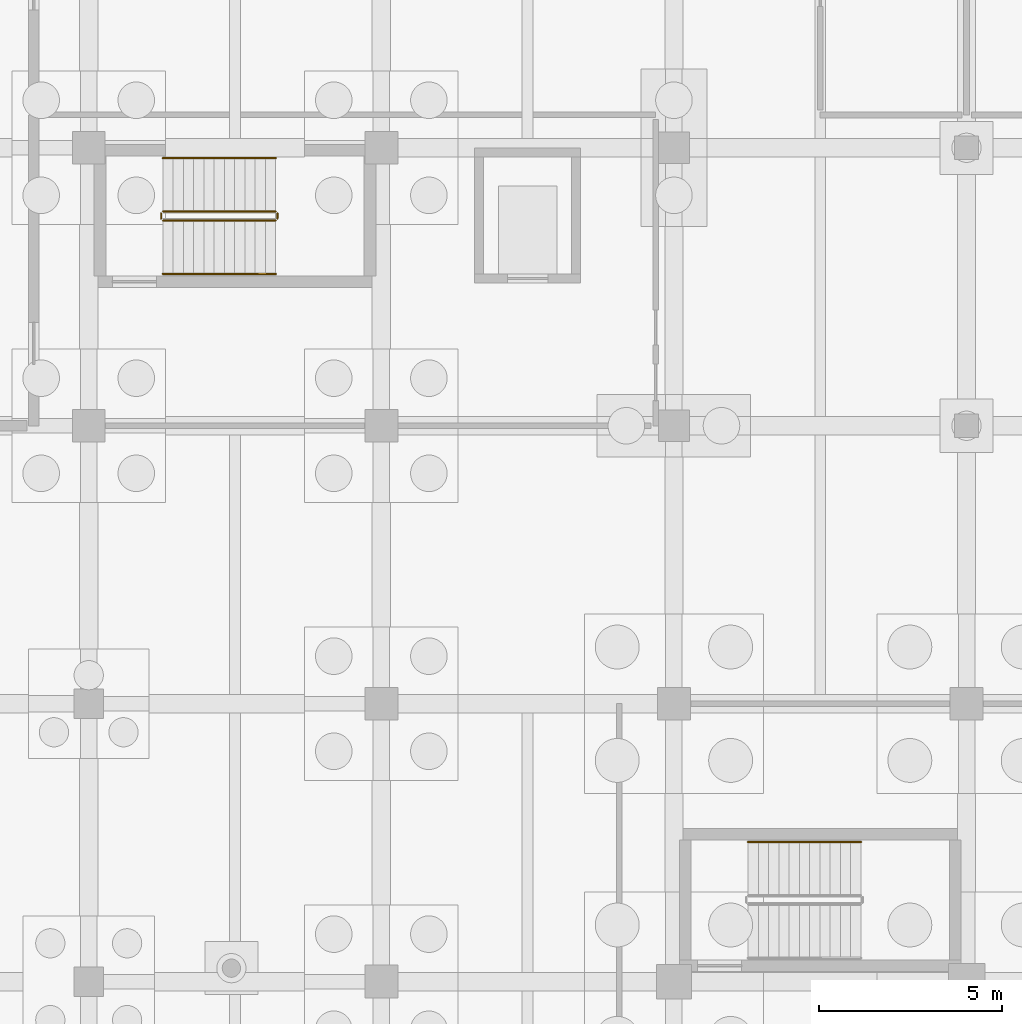
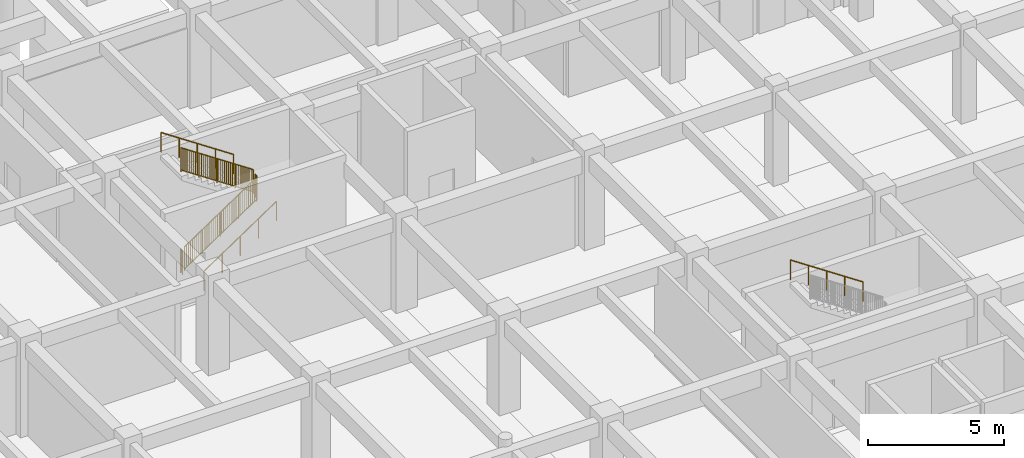
# One storey, part 47 of 49: 7 railings.
"""IFC4 building model written with IfcOpenShell, lengths in metres."""

import ifcopenshell
import ifcopenshell.guid

model = None  # the IFC model being written
_history = None  # IfcOwnerHistory: only IFC2X3 demands one
_inside = {}  # id of a spatial element -> (the spatial element, [elements in it])
_under = {}  # id of a project, library or spatial element -> (it, [spatial elements below it])
_declared = {}  # id of a project -> (the project, [libraries it declares])
_typed = {}  # id of a type object -> (the type object, [elements of that type])
_made_of = {}  # id of a material, layer set ... -> (it, [elements and type objects made of it])


def new_model(schema):
    """Start an empty IFC model of exactly this schema.

    Asked for "IFC4X3", IfcOpenShell would pick the latest addendum, in which some entities
    have other attributes; the version numbers below select the first issue.
    IFC2X3 requires an IfcOwnerHistory on every rooted entity: one is made here for all.
    """
    global model, _history
    if schema == "IFC4X3":
        model = ifcopenshell.file(schema_version=(4, 3, 0, 0))
    else:
        model = ifcopenshell.file(schema=schema)
    _inside.clear()
    _under.clear()
    _declared.clear()
    _typed.clear()
    _made_of.clear()
    _history = None
    if model.schema == "IFC2X3":
        org = make("IfcOrganization", Name="unknown")
        user = make(
            "IfcPersonAndOrganization",
            ThePerson=make("IfcPerson", FamilyName="unknown"),
            TheOrganization=org,
        )
        app = make(
            "IfcApplication",
            ApplicationDeveloper=org,
            Version="unknown",
            ApplicationFullName="unknown",
            ApplicationIdentifier="unknown",
        )
        _history = make(
            "IfcOwnerHistory",
            OwningUser=user,
            OwningApplication=app,
            ChangeAction="ADDED",
            CreationDate=0,
        )
    return model


def make(cls, **values):
    """One entity of the class cls with the attributes given. An attribute that is None is left unset."""
    return model.create_entity(
        cls, **{name: value for name, value in values.items() if value is not None}
    )


def rooted(cls, **values):
    """An entity with a GlobalId (a new one), such as an element, a storey or a relation."""
    return make(cls, GlobalId=ifcopenshell.guid.new(), OwnerHistory=_history, **values)


def si_unit(unit_type, name, prefix=None):
    """IfcSIUnit, for example si_unit("LENGTHUNIT", "METRE", prefix="MILLI")."""
    return make("IfcSIUnit", UnitType=unit_type, Prefix=prefix, Name=name)


def assignment(units):
    """IfcUnitAssignment: the units of a project."""
    return None if units is None else make("IfcUnitAssignment", Units=units)


def point(xyz):
    """IfcCartesianPoint."""
    return None if xyz is None else make("IfcCartesianPoint", Coordinates=xyz)


def direction(xyz):
    """IfcDirection."""
    return None if xyz is None else make("IfcDirection", DirectionRatios=xyz)


def frame(location, z_axis=None, x_axis=None):
    """IfcAxis2Placement3D, a coordinate frame: its origin and axes. An axis left out is left unset."""
    return make(
        "IfcAxis2Placement3D",
        Location=point(location),
        Axis=direction(z_axis),
        RefDirection=direction(x_axis),
    )


def frame_2d(location, x_axis=None):
    """IfcAxis2Placement2D, a coordinate frame in the plane: its origin and x axis."""
    return make(
        "IfcAxis2Placement2D", Location=point(location), RefDirection=direction(x_axis)
    )


def origin():
    """The frame at (0, 0, 0) with its axes left unset."""
    return frame((0.0, 0.0, 0.0))


def origin_2d():
    """The frame at (0, 0) in the plane with its x axis left unset."""
    return frame_2d((0.0, 0.0))


def place(relative_to, where):
    """IfcLocalPlacement: puts the frame where relative to a parent placement (None: the world)."""
    return make(
        "IfcLocalPlacement", PlacementRelTo=relative_to, RelativePlacement=where
    )


def context(
    kind, dimensions, precision=None, world=None, true_north=None, identifier=None
):
    """IfcGeometricRepresentationContext, for example the 3D "Model" context."""
    return make(
        "IfcGeometricRepresentationContext",
        ContextIdentifier=identifier,
        ContextType=kind,
        CoordinateSpaceDimension=dimensions,
        Precision=precision,
        WorldCoordinateSystem=world,
        TrueNorth=true_north,
    )


def subcontext(parent, identifier, kind, view, scale=None):
    """IfcGeometricRepresentationSubContext, for example "Body" below "Model"."""
    return make(
        "IfcGeometricRepresentationSubContext",
        ContextIdentifier=identifier,
        ContextType=kind,
        ParentContext=parent,
        TargetScale=scale,
        TargetView=view,
    )


def project(units=None, contexts=None):
    """IfcProject with its units and contexts."""
    return rooted(
        "IfcProject",
        Name="project",
        RepresentationContexts=contexts,
        UnitsInContext=assignment(units),
    )


def spatial(cls, under=None, at=None, **own):
    """A site, building, storey or space (cls), placed at a placement, below another one or the project."""
    s = rooted(cls, ObjectPlacement=at, **own)
    if under is not None:
        _under.setdefault(under.id(), (under, []))[1].append(s)
    return s


def profile(cls, at=None, kind="AREA", **sizes):
    """A parametric profile (cls). Its sizes go by their IFC names, for example OverallWidth=200.0."""
    return make(cls, ProfileType=kind, Position=at, **sizes)


def rectangle(**sizes):
    """IfcRectangleProfileDef."""
    return profile("IfcRectangleProfileDef", **sizes)


def circle(**sizes):
    """IfcCircleProfileDef."""
    return profile("IfcCircleProfileDef", **sizes)


def extrude(swept, where, along, depth):
    """IfcExtrudedAreaSolid: the profile swept, set in the frame where, extruded along a direction by depth."""
    return make(
        "IfcExtrudedAreaSolid",
        SweptArea=swept,
        Position=where,
        ExtrudedDirection=direction(along),
        Depth=depth,
    )


def shape(context_of_items, identifier, shape_type, items):
    """IfcShapeRepresentation: the items that make up one representation, for example the "Body"."""
    return make(
        "IfcShapeRepresentation",
        ContextOfItems=context_of_items,
        RepresentationIdentifier=identifier,
        RepresentationType=shape_type,
        Items=items,
    )


def material(Name=None, Category=None):
    """IfcMaterial."""
    return make("IfcMaterial", Name=Name, Category=Category)


def made_of(thing, what):
    """Note that an element or type object is made of a material, layer set ...; save() writes the relation."""
    if what is not None:
        _made_of.setdefault(what.id(), (what, []))[1].append(thing)
    return thing


def type_object(cls, material=None, **own):
    """A type object (cls), such as IfcWallType, which elements share."""
    return made_of(rooted(cls, **own), material)


def element(
    cls,
    number,
    at=None,
    inside=None,
    cuts=None,
    type_object=None,
    material=None,
    context=None,
    identifier="Body",
    shape_type=None,
    held_by="IfcProductDefinitionShape",
    body=None,
    shapes=None,
    **own,
):
    """One element of the class cls, such as IfcWall. Its Tag is "e" and its number.

    at: its placement. inside: the storey or other place that contains it. cuts: it is an
    opening in that element (IfcRelVoidsElement). A single representation is given by context,
    identifier, shape_type and body (its items); several are given by shapes. held_by: the class
    of the entity that holds the representations. save() writes the other relations.
    """
    e = rooted(cls, Tag="e%d" % number, ObjectPlacement=at, **own)
    if body is not None:
        shapes = [shape(context, identifier, shape_type, body)]
    if shapes is not None:
        e.Representation = make(held_by, Representations=shapes)
    if inside is not None:
        _inside.setdefault(inside.id(), (inside, []))[1].append(e)
    if cuts is not None:
        rooted(
            "IfcRelVoidsElement", RelatingBuildingElement=cuts, RelatedOpeningElement=e
        )
    if type_object is not None:
        _typed.setdefault(type_object.id(), (type_object, []))[1].append(e)
    return made_of(e, material)


def aggregate(whole, parts):
    """IfcRelAggregates: a whole, such as a stair, and the parts it consists of."""
    return rooted("IfcRelAggregates", RelatingObject=whole, RelatedObjects=parts)


def save(model, path):
    """Write the relations noted so far, then the file.

    IfcRelAggregates (storeys below a building ...), IfcRelContainedInSpatialStructure (elements
    in a storey), IfcRelDefinesByType, IfcRelAssociatesMaterial and IfcRelDeclares: one each for
    every whole, place, type object, material and project.
    """
    for whole, parts in _under.values():
        aggregate(whole, parts)
    for where, things in _inside.values():
        rooted(
            "IfcRelContainedInSpatialStructure",
            RelatedElements=things,
            RelatingStructure=where,
        )
    for kind, things in _typed.values():
        rooted("IfcRelDefinesByType", RelatedObjects=things, RelatingType=kind)
    for what, things in _made_of.values():
        rooted("IfcRelAssociatesMaterial", RelatedObjects=things, RelatingMaterial=what)
    for by, libraries in _declared.values():
        rooted("IfcRelDeclares", RelatingContext=by, RelatedDefinitions=libraries)
    model.write(path)


model = new_model("IFC4")

# Units and contexts
model_context = context("Model", 3, precision=1e-05, world=origin(), true_north=direction((0.0, 1.0)))
body_context = subcontext(model_context, "Body", "Model", "MODEL_VIEW")
ifc_project = project(units=[si_unit("LENGTHUNIT", "METRE"), si_unit("AREAUNIT", "SQUARE_METRE"), si_unit("VOLUMEUNIT", "CUBIC_METRE"), si_unit("PLANEANGLEUNIT", "RADIAN"), si_unit("MASSUNIT", "GRAM", prefix="KILO")], contexts=[model_context])

# Site, building, storey
site_placement = place(None, origin())
site = spatial("IfcSite", under=ifc_project, at=site_placement, CompositionType="ELEMENT")
building_placement = place(site_placement, origin())
building = spatial("IfcBuilding", under=site, at=building_placement, Name="Zantavel Square City Hall", CompositionType="ELEMENT")
storey_placement = place(building_placement, frame((0.0, 0.0, -4.5)))
storey = spatial("IfcBuildingStorey", under=building, at=storey_placement, Name="B1", CompositionType="ELEMENT", Elevation=-4.5)

# Railings
ifc_material_1 = material(Name="Steel ASTM A500 Grade B", Category="steel")
railing_type_1 = type_object("IfcRailingType", Name="Atrium & Gallery Steel Guard Railing 1100mm", PredefinedType="GUARDRAIL", material=ifc_material_1)
railing_1_placement = place(storey_placement, frame((50.030029296875, 81.610107421875, 0.1875)))
element("IfcRailing", 1, at=railing_1_placement, inside=storey, type_object=railing_type_1, Name="B1 ST1 stair guard 1", PredefinedType="GUARDRAIL", context=body_context, shape_type="SweptSolid", body=[
    extrude(circle(Radius=0.02392578125, at=origin_2d()), frame((0.0, 0.0, 1.076171875), z_axis=(0.830913701846, 0.0, 0.55640131208), x_axis=(0.0, 1.0, 0.0)), (0.0, 0.0, 1.0), 3.706787109375),
    extrude(rectangle(XDim=0.031982421875, YDim=0.031982421875, at=origin_2d()), frame((0.0, 0.0, 0.080078125), z_axis=(0.830913701846, 0.0, 0.55640131208), x_axis=(0.0, 1.0, 0.0)), (0.0, 0.0, 1.0), 3.706787109375),
    extrude(rectangle(XDim=0.02197265625, YDim=0.02197265625, at=origin_2d()), frame((0.087890625, 0.0, 0.138916015625)), (0.0, 0.0, 1.0), 0.971923828125),
    extrude(rectangle(XDim=0.02197265625, YDim=0.02197265625, at=origin_2d()), frame((0.176025390625, 0.0, 0.19775390625)), (0.0, 0.0, 1.0), 0.971923828125),
    extrude(rectangle(XDim=0.02197265625, YDim=0.02197265625, at=origin_2d()), frame((0.263916015625, 0.0, 0.2568359375)), (0.0, 0.0, 1.0), 0.971923828125),
    extrude(rectangle(XDim=0.02197265625, YDim=0.02197265625, at=origin_2d()), frame((0.35205078125, 0.0, 0.315673828125)), (0.0, 0.0, 1.0), 0.971923828125),
    extrude(rectangle(XDim=0.02197265625, YDim=0.02197265625, at=origin_2d()), frame((0.43994140625, 0.0, 0.374755859375)), (0.0, 0.0, 1.0), 0.971923828125),
    extrude(rectangle(XDim=0.02197265625, YDim=0.02197265625, at=origin_2d()), frame((0.528076171875, 0.0, 0.43359375)), (0.0, 0.0, 1.0), 0.971923828125),
    extrude(rectangle(XDim=0.02197265625, YDim=0.02197265625, at=origin_2d()), frame((0.615966796875, 0.0, 0.492431640625)), (0.0, 0.0, 1.0), 0.971923828125),
    extrude(rectangle(XDim=0.02197265625, YDim=0.02197265625, at=origin_2d()), frame((0.7041015625, 0.0, 0.551513671875)), (0.0, 0.0, 1.0), 0.971923828125),
    extrude(rectangle(XDim=0.02197265625, YDim=0.02197265625, at=origin_2d()), frame((0.880126953125, 0.0, 0.669189453125)), (0.0, 0.0, 1.0), 0.971923828125),
    extrude(rectangle(XDim=0.02197265625, YDim=0.02197265625, at=origin_2d()), frame((0.968017578125, 0.0, 0.728271484375)), (0.0, 0.0, 1.0), 0.971923828125),
    extrude(rectangle(XDim=0.02197265625, YDim=0.02197265625, at=origin_2d()), frame((1.055908203125, 0.0, 0.787109375)), (0.0, 0.0, 1.0), 0.971923828125),
    extrude(rectangle(XDim=0.02197265625, YDim=0.02197265625, at=origin_2d()), frame((1.14404296875, 0.0, 0.84619140625)), (0.0, 0.0, 1.0), 0.971923828125),
    extrude(rectangle(XDim=0.02197265625, YDim=0.02197265625, at=origin_2d()), frame((1.23193359375, 0.0, 0.905029296875)), (0.0, 0.0, 1.0), 0.971923828125),
    extrude(rectangle(XDim=0.02197265625, YDim=0.02197265625, at=origin_2d()), frame((1.320068359375, 0.0, 0.9638671875)), (0.0, 0.0, 1.0), 0.971923828125),
    extrude(rectangle(XDim=0.02197265625, YDim=0.02197265625, at=origin_2d()), frame((1.407958984375, 0.0, 1.02294921875)), (0.0, 0.0, 1.0), 0.971923828125),
    extrude(rectangle(XDim=0.02197265625, YDim=0.02197265625, at=origin_2d()), frame((1.49609375, 0.0, 1.081787109375)), (0.0, 0.0, 1.0), 0.971923828125),
    extrude(rectangle(XDim=0.02197265625, YDim=0.02197265625, at=origin_2d()), frame((1.583984375, 0.0, 1.140625)), (0.0, 0.0, 1.0), 0.971923828125),
    extrude(rectangle(XDim=0.02197265625, YDim=0.02197265625, at=origin_2d()), frame((1.672119140625, 0.0, 1.19970703125)), (0.0, 0.0, 1.0), 0.971923828125),
    extrude(rectangle(XDim=0.02197265625, YDim=0.02197265625, at=origin_2d()), frame((1.760009765625, 0.0, 1.258544921875)), (0.0, 0.0, 1.0), 0.971923828125),
    extrude(rectangle(XDim=0.02197265625, YDim=0.02197265625, at=origin_2d()), frame((1.84814453125, 0.0, 1.3173828125)), (0.0, 0.0, 1.0), 0.971923828125),
    extrude(rectangle(XDim=0.02197265625, YDim=0.02197265625, at=origin_2d()), frame((1.93603515625, 0.0, 1.37646484375)), (0.0, 0.0, 1.0), 0.971923828125),
    extrude(rectangle(XDim=0.02197265625, YDim=0.02197265625, at=origin_2d()), frame((2.024169921875, 0.0, 1.435302734375)), (0.0, 0.0, 1.0), 0.971923828125),
    extrude(rectangle(XDim=0.02197265625, YDim=0.02197265625, at=origin_2d()), frame((2.112060546875, 0.0, 1.494384765625)), (0.0, 0.0, 1.0), 0.971923828125),
    extrude(rectangle(XDim=0.02197265625, YDim=0.02197265625, at=origin_2d()), frame((2.199951171875, 0.0, 1.55322265625)), (0.0, 0.0, 1.0), 0.971923828125),
    extrude(rectangle(XDim=0.02197265625, YDim=0.02197265625, at=origin_2d()), frame((2.3759765625, 0.0, 1.671142578125)), (0.0, 0.0, 1.0), 0.971923828125),
    extrude(rectangle(XDim=0.02197265625, YDim=0.02197265625, at=origin_2d()), frame((2.464111328125, 0.0, 1.72998046875)), (0.0, 0.0, 1.0), 0.971923828125),
    extrude(rectangle(XDim=0.02197265625, YDim=0.02197265625, at=origin_2d()), frame((2.552001953125, 0.0, 1.788818359375)), (0.0, 0.0, 1.0), 0.971923828125),
    extrude(rectangle(XDim=0.02197265625, YDim=0.02197265625, at=origin_2d()), frame((2.64013671875, 0.0, 1.847900390625)), (0.0, 0.0, 1.0), 0.971923828125),
    extrude(rectangle(XDim=0.02197265625, YDim=0.02197265625, at=origin_2d()), frame((2.72802734375, 0.0, 1.90673828125)), (0.0, 0.0, 1.0), 0.971923828125),
    extrude(rectangle(XDim=0.02197265625, YDim=0.02197265625, at=origin_2d()), frame((2.816162109375, 0.0, 1.9658203125)), (0.0, 0.0, 1.0), 0.971923828125),
    extrude(rectangle(XDim=0.02197265625, YDim=0.02197265625, at=origin_2d()), frame((2.904052734375, 0.0, 2.024658203125)), (0.0, 0.0, 1.0), 0.971923828125),
    extrude(rectangle(XDim=0.02197265625, YDim=0.02197265625, at=origin_2d()), frame((2.9921875, 0.0, 2.08349609375)), (0.0, 0.0, 1.0), 0.971923828125),
    extrude(circle(Radius=0.02099609375, at=origin_2d()), origin(), (0.0, 0.0, 1.0), 1.052001953125),
    extrude(circle(Radius=0.02099609375, at=origin_2d()), frame((0.77001953125, 0.0, 0.515625)), (0.0, 0.0, 1.0), 1.052001953125),
    extrude(circle(Radius=0.02099609375, at=origin_2d()), frame((1.5400390625, 0.0, 1.03125)), (0.0, 0.0, 1.0), 1.052001953125),
    extrude(circle(Radius=0.02099609375, at=origin_2d()), frame((2.31005859375, 0.0, 1.546875)), (0.0, 0.0, 1.0), 1.052001953125),
    extrude(circle(Radius=0.02099609375, at=origin_2d()), frame((3.080078125, 0.0, 2.0625)), (0.0, 0.0, 1.0), 1.052001953125),
])
railing_2_placement = place(storey_placement, frame((53.159912109375, 81.659912109375, 2.25)))
element("IfcRailing", 2, at=railing_2_placement, inside=storey, type_object=railing_type_1, Name="B1 ST1 stair guard 2", PredefinedType="GUARDRAIL", context=body_context, shape_type="SweptSolid", body=[
    extrude(circle(Radius=0.02392578125, at=origin_2d()), frame((0.0, 0.0, 1.076171875), z_axis=(0.0, 1.0, 0.0), x_axis=(-1.0, 0.0, 0.0)), (0.0, 0.0, 1.0), 0.150146484375),
    extrude(rectangle(XDim=0.031982421875, YDim=0.031982421875, at=origin_2d()), frame((0.0, 0.0, 0.080078125), z_axis=(0.0, 1.0, 0.0), x_axis=(-1.0, 0.0, 0.0)), (0.0, 0.0, 1.0), 0.150146484375),
    extrude(rectangle(XDim=0.02197265625, YDim=0.02197265625, at=origin_2d()), frame((0.0, 0.0751953125, 0.080078125)), (0.0, 0.0, 1.0), 0.971923828125),
    extrude(circle(Radius=0.02099609375, at=origin_2d()), origin(), (0.0, 0.0, 1.0), 1.052001953125),
    extrude(circle(Radius=0.02099609375, at=origin_2d()), frame((0.0, 0.150146484375, 0.0)), (0.0, 0.0, 1.0), 1.052001953125),
])
railing_3_placement = place(storey_placement, frame((53.110107421875, 81.860107421875, 2.4375)))
element("IfcRailing", 3, at=railing_3_placement, inside=storey, type_object=railing_type_1, Name="B1 ST1 stair guard 3", PredefinedType="GUARDRAIL", context=body_context, shape_type="SweptSolid", body=[
    extrude(circle(Radius=0.02392578125, at=origin_2d()), frame((0.0, 0.0, 1.076171875), z_axis=(-0.830913701846, 0.0, 0.55640131208), x_axis=(0.0, -1.0, 0.0)), (0.0, 0.0, 1.0), 3.706787109375),
    extrude(rectangle(XDim=0.031982421875, YDim=0.031982421875, at=origin_2d()), frame((0.0, 0.0, 0.080078125), z_axis=(-0.830913701846, 0.0, 0.55640131208), x_axis=(0.0, -1.0, 0.0)), (0.0, 0.0, 1.0), 3.706787109375),
    extrude(rectangle(XDim=0.02197265625, YDim=0.02197265625, at=origin_2d()), frame((-0.087890625, 0.0, 0.138916015625)), (0.0, 0.0, 1.0), 0.971923828125),
    extrude(rectangle(XDim=0.02197265625, YDim=0.02197265625, at=origin_2d()), frame((-0.176025390625, 0.0, 0.19775390625)), (0.0, 0.0, 1.0), 0.971923828125),
    extrude(rectangle(XDim=0.02197265625, YDim=0.02197265625, at=origin_2d()), frame((-0.263916015625, 0.0, 0.2568359375)), (0.0, 0.0, 1.0), 0.971923828125),
    extrude(rectangle(XDim=0.02197265625, YDim=0.02197265625, at=origin_2d()), frame((-0.35205078125, 0.0, 0.315673828125)), (0.0, 0.0, 1.0), 0.971923828125),
    extrude(rectangle(XDim=0.02197265625, YDim=0.02197265625, at=origin_2d()), frame((-0.43994140625, 0.0, 0.374755859375)), (0.0, 0.0, 1.0), 0.971923828125),
    extrude(rectangle(XDim=0.02197265625, YDim=0.02197265625, at=origin_2d()), frame((-0.528076171875, 0.0, 0.43359375)), (0.0, 0.0, 1.0), 0.971923828125),
    extrude(rectangle(XDim=0.02197265625, YDim=0.02197265625, at=origin_2d()), frame((-0.615966796875, 0.0, 0.492431640625)), (0.0, 0.0, 1.0), 0.971923828125),
    extrude(rectangle(XDim=0.02197265625, YDim=0.02197265625, at=origin_2d()), frame((-0.7041015625, 0.0, 0.551513671875)), (0.0, 0.0, 1.0), 0.971923828125),
    extrude(rectangle(XDim=0.02197265625, YDim=0.02197265625, at=origin_2d()), frame((-0.880126953125, 0.0, 0.669189453125)), (0.0, 0.0, 1.0), 0.971923828125),
    extrude(rectangle(XDim=0.02197265625, YDim=0.02197265625, at=origin_2d()), frame((-0.968017578125, 0.0, 0.728271484375)), (0.0, 0.0, 1.0), 0.971923828125),
    extrude(rectangle(XDim=0.02197265625, YDim=0.02197265625, at=origin_2d()), frame((-1.055908203125, 0.0, 0.787109375)), (0.0, 0.0, 1.0), 0.971923828125),
    extrude(rectangle(XDim=0.02197265625, YDim=0.02197265625, at=origin_2d()), frame((-1.14404296875, 0.0, 0.84619140625)), (0.0, 0.0, 1.0), 0.971923828125),
    extrude(rectangle(XDim=0.02197265625, YDim=0.02197265625, at=origin_2d()), frame((-1.23193359375, 0.0, 0.905029296875)), (0.0, 0.0, 1.0), 0.971923828125),
    extrude(rectangle(XDim=0.02197265625, YDim=0.02197265625, at=origin_2d()), frame((-1.320068359375, 0.0, 0.9638671875)), (0.0, 0.0, 1.0), 0.971923828125),
    extrude(rectangle(XDim=0.02197265625, YDim=0.02197265625, at=origin_2d()), frame((-1.407958984375, 0.0, 1.02294921875)), (0.0, 0.0, 1.0), 0.971923828125),
    extrude(rectangle(XDim=0.02197265625, YDim=0.02197265625, at=origin_2d()), frame((-1.49609375, 0.0, 1.081787109375)), (0.0, 0.0, 1.0), 0.971923828125),
    extrude(rectangle(XDim=0.02197265625, YDim=0.02197265625, at=origin_2d()), frame((-1.583984375, 0.0, 1.140625)), (0.0, 0.0, 1.0), 0.971923828125),
    extrude(rectangle(XDim=0.02197265625, YDim=0.02197265625, at=origin_2d()), frame((-1.672119140625, 0.0, 1.19970703125)), (0.0, 0.0, 1.0), 0.971923828125),
    extrude(rectangle(XDim=0.02197265625, YDim=0.02197265625, at=origin_2d()), frame((-1.760009765625, 0.0, 1.258544921875)), (0.0, 0.0, 1.0), 0.971923828125),
    extrude(rectangle(XDim=0.02197265625, YDim=0.02197265625, at=origin_2d()), frame((-1.84814453125, 0.0, 1.3173828125)), (0.0, 0.0, 1.0), 0.971923828125),
    extrude(rectangle(XDim=0.02197265625, YDim=0.02197265625, at=origin_2d()), frame((-1.93603515625, 0.0, 1.37646484375)), (0.0, 0.0, 1.0), 0.971923828125),
    extrude(rectangle(XDim=0.02197265625, YDim=0.02197265625, at=origin_2d()), frame((-2.024169921875, 0.0, 1.435302734375)), (0.0, 0.0, 1.0), 0.971923828125),
    extrude(rectangle(XDim=0.02197265625, YDim=0.02197265625, at=origin_2d()), frame((-2.112060546875, 0.0, 1.494384765625)), (0.0, 0.0, 1.0), 0.971923828125),
    extrude(rectangle(XDim=0.02197265625, YDim=0.02197265625, at=origin_2d()), frame((-2.199951171875, 0.0, 1.55322265625)), (0.0, 0.0, 1.0), 0.971923828125),
    extrude(rectangle(XDim=0.02197265625, YDim=0.02197265625, at=origin_2d()), frame((-2.3759765625, 0.0, 1.671142578125)), (0.0, 0.0, 1.0), 0.971923828125),
    extrude(rectangle(XDim=0.02197265625, YDim=0.02197265625, at=origin_2d()), frame((-2.464111328125, 0.0, 1.72998046875)), (0.0, 0.0, 1.0), 0.971923828125),
    extrude(rectangle(XDim=0.02197265625, YDim=0.02197265625, at=origin_2d()), frame((-2.552001953125, 0.0, 1.788818359375)), (0.0, 0.0, 1.0), 0.971923828125),
    extrude(rectangle(XDim=0.02197265625, YDim=0.02197265625, at=origin_2d()), frame((-2.64013671875, 0.0, 1.847900390625)), (0.0, 0.0, 1.0), 0.971923828125),
    extrude(rectangle(XDim=0.02197265625, YDim=0.02197265625, at=origin_2d()), frame((-2.72802734375, 0.0, 1.90673828125)), (0.0, 0.0, 1.0), 0.971923828125),
    extrude(rectangle(XDim=0.02197265625, YDim=0.02197265625, at=origin_2d()), frame((-2.816162109375, 0.0, 1.9658203125)), (0.0, 0.0, 1.0), 0.971923828125),
    extrude(rectangle(XDim=0.02197265625, YDim=0.02197265625, at=origin_2d()), frame((-2.904052734375, 0.0, 2.024658203125)), (0.0, 0.0, 1.0), 0.971923828125),
    extrude(rectangle(XDim=0.02197265625, YDim=0.02197265625, at=origin_2d()), frame((-2.9921875, 0.0, 2.08349609375)), (0.0, 0.0, 1.0), 0.971923828125),
    extrude(circle(Radius=0.02099609375, at=origin_2d()), origin(), (0.0, 0.0, 1.0), 1.052001953125),
    extrude(circle(Radius=0.02099609375, at=origin_2d()), frame((-0.77001953125, 0.0, 0.515625)), (0.0, 0.0, 1.0), 1.052001953125),
    extrude(circle(Radius=0.02099609375, at=origin_2d()), frame((-1.5400390625, 0.0, 1.03125)), (0.0, 0.0, 1.0), 1.052001953125),
    extrude(circle(Radius=0.02099609375, at=origin_2d()), frame((-2.31005859375, 0.0, 1.546875)), (0.0, 0.0, 1.0), 1.052001953125),
    extrude(circle(Radius=0.02099609375, at=origin_2d()), frame((-3.080078125, 0.0, 2.0625)), (0.0, 0.0, 1.0), 1.052001953125),
])
railing_4_placement = place(storey_placement, frame((49.97998046875, 81.659912109375, 0.0)))
element("IfcRailing", 4, at=railing_4_placement, inside=storey, type_object=railing_type_1, Name="B1 ST1 stair guard 4", PredefinedType="GUARDRAIL", context=body_context, shape_type="SweptSolid", body=[
    extrude(circle(Radius=0.02392578125, at=origin_2d()), frame((0.0, 0.0, 1.076171875), z_axis=(0.0, 1.0, 0.0), x_axis=(-1.0, 0.0, 0.0)), (0.0, 0.0, 1.0), 0.150146484375),
    extrude(rectangle(XDim=0.031982421875, YDim=0.031982421875, at=origin_2d()), frame((0.0, 0.0, 0.080078125), z_axis=(0.0, 1.0, 0.0), x_axis=(-1.0, 0.0, 0.0)), (0.0, 0.0, 1.0), 0.150146484375),
    extrude(rectangle(XDim=0.02197265625, YDim=0.02197265625, at=origin_2d()), frame((0.0, 0.0751953125, 0.080078125)), (0.0, 0.0, 1.0), 0.971923828125),
    extrude(circle(Radius=0.02099609375, at=origin_2d()), origin(), (0.0, 0.0, 1.0), 1.052001953125),
    extrude(circle(Radius=0.02099609375, at=origin_2d()), frame((0.0, 0.150146484375, 0.0)), (0.0, 0.0, 1.0), 1.052001953125),
])
ifc_material_2 = material(Name="Stainless steel 316", Category="steel")
railing_type_2 = type_object("IfcRailingType", Name="Stair Stainless Steel Handrail 900mm", PredefinedType="HANDRAIL", material=ifc_material_2)
railing_5_placement = place(storey_placement, frame((50.030029296875, 80.14990234375, 0.1875)))
element("IfcRailing", 5, at=railing_5_placement, inside=storey, type_object=railing_type_2, Name="B1 ST1 stair handrail 1", PredefinedType="HANDRAIL", context=body_context, shape_type="SweptSolid", body=[
    extrude(circle(Radius=0.02392578125, at=origin_2d()), frame((0.0, 0.0, 0.8759765625), z_axis=(0.830913701846, 0.0, 0.55640131208), x_axis=(0.0, 1.0, 0.0)), (0.0, 0.0, 1.0), 3.706787109375),
    extrude(circle(Radius=0.02099609375, at=origin_2d()), origin(), (0.0, 0.0, 1.0), 0.851806640625),
    extrude(circle(Radius=0.02099609375, at=origin_2d()), frame((0.77001953125, 0.0, 0.515625)), (0.0, 0.0, 1.0), 0.851806640625),
    extrude(circle(Radius=0.02099609375, at=origin_2d()), frame((1.5400390625, 0.0, 1.03125)), (0.0, 0.0, 1.0), 0.851806640625),
    extrude(circle(Radius=0.02099609375, at=origin_2d()), frame((2.31005859375, 0.0, 1.546875)), (0.0, 0.0, 1.0), 0.851806640625),
    extrude(circle(Radius=0.02099609375, at=origin_2d()), frame((3.080078125, 0.0, 2.0625)), (0.0, 0.0, 1.0), 0.851806640625),
])
for number, where, name in (
    (6, (53.110107421875, 83.320068359375, 2.4375), "B1 ST1 stair handrail 2"),
    (7, (69.110107421875, 64.6201171875, 2.4375), "B1 ST5 stair handrail 2"),
):
    element("IfcRailing", number, at=place(storey_placement, frame(where)), inside=storey, type_object=railing_type_2, Name=name, PredefinedType="HANDRAIL", context=body_context, shape_type="SweptSolid", body=[
        extrude(circle(Radius=0.02392578125, at=origin_2d()), frame((0.0, 0.0, 0.8759765625), z_axis=(-0.830913701846, 0.0, 0.55640131208), x_axis=(0.0, -1.0, 0.0)), (0.0, 0.0, 1.0), 3.706787109375),
        extrude(circle(Radius=0.02099609375, at=origin_2d()), origin(), (0.0, 0.0, 1.0), 0.851806640625),
        extrude(circle(Radius=0.02099609375, at=origin_2d()), frame((-0.77001953125, 0.0, 0.515625)), (0.0, 0.0, 1.0), 0.851806640625),
        extrude(circle(Radius=0.02099609375, at=origin_2d()), frame((-1.5400390625, 0.0, 1.03125)), (0.0, 0.0, 1.0), 0.851806640625),
        extrude(circle(Radius=0.02099609375, at=origin_2d()), frame((-2.31005859375, 0.0, 1.546875)), (0.0, 0.0, 1.0), 0.851806640625),
        extrude(circle(Radius=0.02099609375, at=origin_2d()), frame((-3.080078125, 0.0, 2.0625)), (0.0, 0.0, 1.0), 0.851806640625),
    ])

save(model, "model.ifc")
